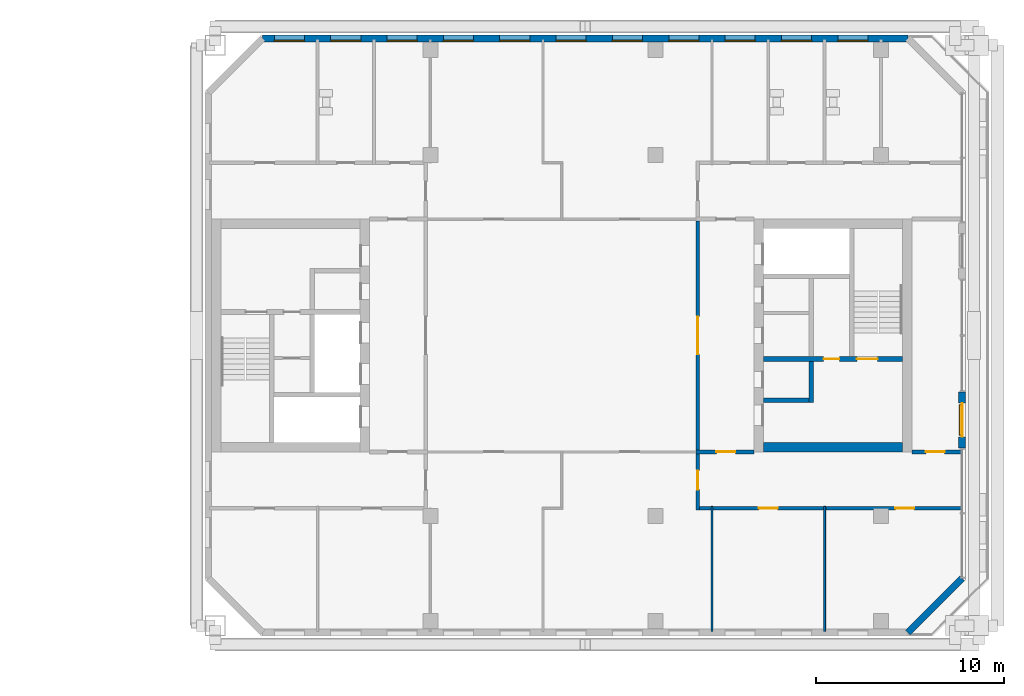
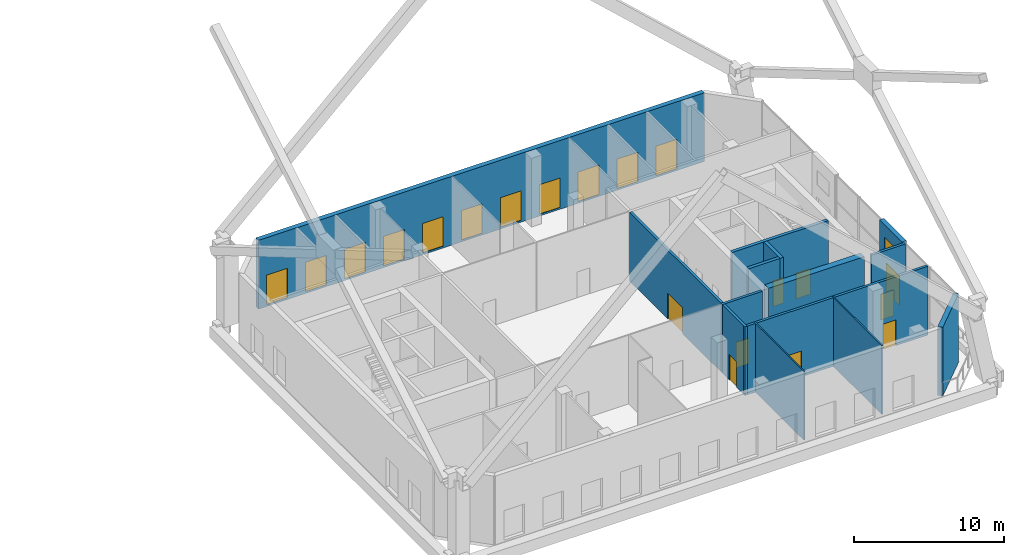
# One storey, part 15 of 20: 14 walls, 12 windows, 9 doors, 21 openings.
"""IFC4 building model written with IfcOpenShell, lengths in metres."""

from ifc_helpers import new_model, si_unit, direction, frame, frame_2d, origin, place, context, subcontext, project, spatial, rectangle, extrude, material, layer, layer_set, type_object, element, fill, save


model = new_model("IFC4")

# Units and contexts
model_context = context("Model", 3, precision=1e-05, world=origin(), true_north=direction((0.0, 1.0)))
body_context = subcontext(model_context, "Body", "Model", "MODEL_VIEW")
ifc_project = project(units=[si_unit("LENGTHUNIT", "METRE"), si_unit("AREAUNIT", "SQUARE_METRE"), si_unit("VOLUMEUNIT", "CUBIC_METRE"), si_unit("PLANEANGLEUNIT", "RADIAN"), si_unit("MASSUNIT", "GRAM", prefix="KILO")], contexts=[model_context])

# Site, building, storey
site_placement = place(None, origin())
site = spatial("IfcSite", under=ifc_project, at=site_placement, CompositionType="ELEMENT")
building_placement = place(site_placement, origin())
building = spatial("IfcBuilding", under=site, at=building_placement, Name="Tuart Gate Housing", CompositionType="ELEMENT")
storey_placement = place(building_placement, frame((0.0, 0.0, 142.300048828125)))
storey = spatial("IfcBuildingStorey", under=building, at=storey_placement, Name="L40", CompositionType="ELEMENT", Elevation=142.300048828125)

# Wall
ifc_material_1 = material(Name="Brick", Category="masonry")
ifc_layer_1 = layer(ifc_material_1, 0.360107421875)
ifc_layer_set_1 = layer_set([ifc_layer_1], Name="Brick pier and spandrel wall 360")
wall_type_1 = type_object("IfcWallType", Name="Brick pier and spandrel wall 360", PredefinedType="STANDARD", material=ifc_layer_set_1)
wall_1_placement = place(storey_placement, frame((168.42529296875, 54.179931640625, 0.0), z_axis=(0.0, 0.0, 1.0), x_axis=(0.707106781187, 0.707106781187, 0.0)))
element("IfcWall", 1, at=wall_1_placement, inside=storey, type_object=wall_type_1, Name="External wall B-SE L40", PredefinedType="STANDARD", context=body_context, shape_type="SweptSolid", body=[
    extrude(rectangle(XDim=4.09375, YDim=0.360107421875, at=frame_2d((2.046875, 0.0))), origin(), (0.0, 0.0, 1.0), 5.599853515625),
])

# Wall, openings, door, window
wall_2_placement = place(storey_placement, frame((171.320068359375, 64.0, 0.0), z_axis=(0.0, 0.0, 1.0), x_axis=(0.0, 1.0, 0.0)))
wall_2 = element("IfcWall", 2, at=wall_2_placement, inside=storey, type_object=wall_type_1, Name="External wall B-E L40", PredefinedType="STANDARD", context=body_context, shape_type="SweptSolid", body=[
    extrude(rectangle(XDim=3.0, YDim=0.360107421875, at=frame_2d((1.5, 0.0))), origin(), (0.0, 0.0, 1.0), 5.599853515625),
])
opening_1_placement = place(wall_2_placement, frame((0.699951171875, 0.0, 3.39990234375)))
opening_1 = element("IfcOpeningElement", 3, at=opening_1_placement, cuts=wall_2, Name="Opening W3", PredefinedType="OPENING", context=body_context, shape_type="SweptSolid", body=[
    extrude(rectangle(XDim=1.60009765625, YDim=1.199951171875, at=frame_2d((0.800048828125, 0.60009765625))), frame((0.0, 0.18994140625, 0.0), z_axis=(0.0, -1.0, 0.0), x_axis=(1.0, 0.0, 0.0)), (0.0, 0.0, 1.0), 0.380126953125),
])
opening_2_placement = place(wall_2_placement, frame((0.60009765625, 0.0, 0.0)))
opening_2 = element("IfcOpeningElement", 4, at=opening_2_placement, cuts=wall_2, Name="Opening D2990", PredefinedType="OPENING", context=body_context, shape_type="SweptSolid", body=[
    extrude(rectangle(XDim=1.800048828125, YDim=2.39990234375, at=frame_2d((0.89990234375, 1.199951171875))), frame((0.0, 0.18994140625, 0.0), z_axis=(0.0, -1.0, 0.0), x_axis=(1.0, 0.0, 0.0)), (0.0, 0.0, 1.0), 0.380126953125),
])
ifc_material_2 = material(Name="Aluminium framed glazed door", Category="aluminium")
door_type_1 = type_object("IfcDoorType", Name="Entrance door 1800 x 2400", OperationType="DOUBLE_DOOR_SINGLE_SWING", PredefinedType="DOOR", material=ifc_material_2)
door_1_placement = place(opening_2_placement, frame((1.800048828125, 0.0, 0.0), z_axis=(0.0, 0.0, 1.0), x_axis=(-1.0, 0.0, 0.0)))
door_1 = element("IfcDoor", 5, at=door_1_placement, inside=storey, type_object=door_type_1, Name="Leg B terrace door L40 1", OperationType="DOUBLE_DOOR_SINGLE_SWING", OverallHeight=2.39990234375, OverallWidth=1.800048828125, PredefinedType="DOOR", context=body_context, shape_type="SweptSolid", body=[
    extrude(rectangle(XDim=1.800048828125, YDim=2.39990234375, at=frame_2d((0.900146484375, 1.199951171875))), frame((0.0, 0.025146484375, 0.0), z_axis=(0.0, -1.0, 0.0), x_axis=(1.0, 0.0, 0.0)), (0.0, 0.0, 1.0), 0.050048828125),
])
fill(opening_2, door_1)
ifc_material_3 = material(Name="Aluminium louvre blades", Category="aluminium")
window_type_1 = type_object("IfcWindowType", Name="Louvre window 1600 x 1200", PartitioningType="DOUBLE_PANEL_HORIZONTAL", PredefinedType="WINDOW", material=ifc_material_3)
window_1_placement = place(opening_1_placement, origin())
window_1 = element("IfcWindow", 6, at=window_1_placement, inside=storey, type_object=window_type_1, Name="Louvre W3", OverallHeight=1.199951171875, OverallWidth=1.60009765625, PartitioningType="DOUBLE_PANEL_HORIZONTAL", PredefinedType="WINDOW", context=body_context, shape_type="SweptSolid", body=[
    extrude(rectangle(XDim=1.60009765625, YDim=1.199951171875, at=frame_2d((0.800048828125, 0.60009765625))), frame((0.0, 0.150146484375, 0.0), z_axis=(0.0, -1.0, 0.0), x_axis=(1.0, 0.0, 0.0)), (0.0, 0.0, 1.0), 0.06005859375),
])
fill(opening_1, window_1)

# Wall, openings, windows
wall_3_placement = place(storey_placement, frame((168.42529296875, 85.820068359375, 0.0), z_axis=(0.0, 0.0, 1.0), x_axis=(-1.0, 0.0, 0.0)))
wall_3 = element("IfcWall", 7, at=wall_3_placement, inside=storey, type_object=wall_type_1, Name="External wall B-N L40", PredefinedType="STANDARD", context=body_context, shape_type="SweptSolid", body=[
    extrude(rectangle(XDim=34.350830078125, YDim=0.360107421875, at=frame_2d((17.17529296875, 0.0))), origin(), (0.0, 0.0, 1.0), 5.599853515625),
])
opening_3_placement = place(wall_3_placement, frame((2.12548828125, 0.0, 0.14990234375)))
opening_3 = element("IfcOpeningElement", 8, at=opening_3_placement, cuts=wall_3, Name="Opening W2", PredefinedType="OPENING", context=body_context, shape_type="SweptSolid", body=[
    extrude(rectangle(XDim=1.60009765625, YDim=2.39990234375, at=frame_2d((0.800048828125, 1.199951171875))), frame((0.0, 0.18994140625, 0.0), z_axis=(0.0, -1.0, 0.0), x_axis=(1.0, 0.0, 0.0)), (0.0, 0.0, 1.0), 0.380126953125),
])
opening_4_placement = place(wall_3_placement, frame((5.12548828125, 0.0, 0.14990234375)))
opening_4 = element("IfcOpeningElement", 9, at=opening_4_placement, cuts=wall_3, Name="Opening W2", PredefinedType="OPENING", context=body_context, shape_type="SweptSolid", body=[
    extrude(rectangle(XDim=1.60009765625, YDim=2.39990234375, at=frame_2d((0.800048828125, 1.199951171875))), frame((0.0, 0.18994140625, 0.0), z_axis=(0.0, -1.0, 0.0), x_axis=(1.0, 0.0, 0.0)), (0.0, 0.0, 1.0), 0.380126953125),
])
opening_5_placement = place(wall_3_placement, frame((8.12548828125, 0.0, 0.14990234375)))
opening_5 = element("IfcOpeningElement", 10, at=opening_5_placement, cuts=wall_3, Name="Opening W2", PredefinedType="OPENING", context=body_context, shape_type="SweptSolid", body=[
    extrude(rectangle(XDim=1.60009765625, YDim=2.39990234375, at=frame_2d((0.800048828125, 1.199951171875))), frame((0.0, 0.18994140625, 0.0), z_axis=(0.0, -1.0, 0.0), x_axis=(1.0, 0.0, 0.0)), (0.0, 0.0, 1.0), 0.380126953125),
])
opening_6_placement = place(wall_3_placement, frame((11.12548828125, 0.0, 0.14990234375)))
opening_6 = element("IfcOpeningElement", 11, at=opening_6_placement, cuts=wall_3, Name="Opening W2", PredefinedType="OPENING", context=body_context, shape_type="SweptSolid", body=[
    extrude(rectangle(XDim=1.60009765625, YDim=2.39990234375, at=frame_2d((0.800048828125, 1.199951171875))), frame((0.0, 0.18994140625, 0.0), z_axis=(0.0, -1.0, 0.0), x_axis=(1.0, 0.0, 0.0)), (0.0, 0.0, 1.0), 0.380126953125),
])
opening_7_placement = place(wall_3_placement, frame((14.12548828125, 0.0, 0.14990234375)))
opening_7 = element("IfcOpeningElement", 12, at=opening_7_placement, cuts=wall_3, Name="Opening W2", PredefinedType="OPENING", context=body_context, shape_type="SweptSolid", body=[
    extrude(rectangle(XDim=1.60009765625, YDim=2.39990234375, at=frame_2d((0.800048828125, 1.199951171875))), frame((0.0, 0.18994140625, 0.0), z_axis=(0.0, -1.0, 0.0), x_axis=(1.0, 0.0, 0.0)), (0.0, 0.0, 1.0), 0.380126953125),
])
opening_8_placement = place(wall_3_placement, frame((17.12548828125, 0.0, 0.14990234375)))
opening_8 = element("IfcOpeningElement", 13, at=opening_8_placement, cuts=wall_3, Name="Opening W2", PredefinedType="OPENING", context=body_context, shape_type="SweptSolid", body=[
    extrude(rectangle(XDim=1.60009765625, YDim=2.39990234375, at=frame_2d((0.800048828125, 1.199951171875))), frame((0.0, 0.18994140625, 0.0), z_axis=(0.0, -1.0, 0.0), x_axis=(1.0, 0.0, 0.0)), (0.0, 0.0, 1.0), 0.380126953125),
])
opening_9_placement = place(wall_3_placement, frame((20.12548828125, 0.0, 0.14990234375)))
opening_9 = element("IfcOpeningElement", 14, at=opening_9_placement, cuts=wall_3, Name="Opening W2", PredefinedType="OPENING", context=body_context, shape_type="SweptSolid", body=[
    extrude(rectangle(XDim=1.60009765625, YDim=2.39990234375, at=frame_2d((0.800048828125, 1.199951171875))), frame((0.0, 0.18994140625, 0.0), z_axis=(0.0, -1.0, 0.0), x_axis=(1.0, 0.0, 0.0)), (0.0, 0.0, 1.0), 0.380126953125),
])
opening_10_placement = place(wall_3_placement, frame((23.12548828125, 0.0, 0.14990234375)))
opening_10 = element("IfcOpeningElement", 15, at=opening_10_placement, cuts=wall_3, Name="Opening W2", PredefinedType="OPENING", context=body_context, shape_type="SweptSolid", body=[
    extrude(rectangle(XDim=1.60009765625, YDim=2.39990234375, at=frame_2d((0.800048828125, 1.199951171875))), frame((0.0, 0.18994140625, 0.0), z_axis=(0.0, -1.0, 0.0), x_axis=(1.0, 0.0, 0.0)), (0.0, 0.0, 1.0), 0.380126953125),
])
opening_11_placement = place(wall_3_placement, frame((26.12548828125, 0.0, 0.14990234375)))
opening_11 = element("IfcOpeningElement", 16, at=opening_11_placement, cuts=wall_3, Name="Opening W2", PredefinedType="OPENING", context=body_context, shape_type="SweptSolid", body=[
    extrude(rectangle(XDim=1.60009765625, YDim=2.39990234375, at=frame_2d((0.800048828125, 1.199951171875))), frame((0.0, 0.18994140625, 0.0), z_axis=(0.0, -1.0, 0.0), x_axis=(1.0, 0.0, 0.0)), (0.0, 0.0, 1.0), 0.380126953125),
])
opening_12_placement = place(wall_3_placement, frame((29.12548828125, 0.0, 0.14990234375)))
opening_12 = element("IfcOpeningElement", 17, at=opening_12_placement, cuts=wall_3, Name="Opening W2", PredefinedType="OPENING", context=body_context, shape_type="SweptSolid", body=[
    extrude(rectangle(XDim=1.60009765625, YDim=2.39990234375, at=frame_2d((0.800048828125, 1.199951171875))), frame((0.0, 0.18994140625, 0.0), z_axis=(0.0, -1.0, 0.0), x_axis=(1.0, 0.0, 0.0)), (0.0, 0.0, 1.0), 0.380126953125),
])
opening_13_placement = place(wall_3_placement, frame((32.12548828125, 0.0, 0.14990234375)))
opening_13 = element("IfcOpeningElement", 18, at=opening_13_placement, cuts=wall_3, Name="Opening W2", PredefinedType="OPENING", context=body_context, shape_type="SweptSolid", body=[
    extrude(rectangle(XDim=1.60009765625, YDim=2.39990234375, at=frame_2d((0.800048828125, 1.199951171875))), frame((0.0, 0.18994140625, 0.0), z_axis=(0.0, -1.0, 0.0), x_axis=(1.0, 0.0, 0.0)), (0.0, 0.0, 1.0), 0.380126953125),
])
ifc_material_4 = material(Name="Aluminium frame with clear glass", Category="aluminium")
window_type_2 = type_object("IfcWindowType", Name="Garden lounge window 1600 x 2400", PartitioningType="SINGLE_PANEL", PredefinedType="WINDOW", material=ifc_material_4)
window_2_placement = place(opening_3_placement, origin())
window_2 = element("IfcWindow", 19, at=window_2_placement, inside=storey, type_object=window_type_2, Name="Window W2", OverallHeight=2.39990234375, OverallWidth=1.60009765625, PartitioningType="SINGLE_PANEL", PredefinedType="WINDOW", context=body_context, shape_type="SweptSolid", body=[
    extrude(rectangle(XDim=1.60009765625, YDim=2.39990234375, at=frame_2d((0.800048828125, 1.199951171875))), frame((0.0, 0.150146484375, 0.0), z_axis=(0.0, -1.0, 0.0), x_axis=(1.0, 0.0, 0.0)), (0.0, 0.0, 1.0), 0.06005859375),
])
fill(opening_3, window_2)
window_3_placement = place(opening_4_placement, origin())
window_3 = element("IfcWindow", 20, at=window_3_placement, inside=storey, type_object=window_type_2, Name="Window W2", OverallHeight=2.39990234375, OverallWidth=1.60009765625, PartitioningType="SINGLE_PANEL", PredefinedType="WINDOW", context=body_context, shape_type="SweptSolid", body=[
    extrude(rectangle(XDim=1.60009765625, YDim=2.39990234375, at=frame_2d((0.800048828125, 1.199951171875))), frame((0.0, 0.150146484375, 0.0), z_axis=(0.0, -1.0, 0.0), x_axis=(1.0, 0.0, 0.0)), (0.0, 0.0, 1.0), 0.06005859375),
])
fill(opening_4, window_3)
window_4_placement = place(opening_5_placement, origin())
window_4 = element("IfcWindow", 21, at=window_4_placement, inside=storey, type_object=window_type_2, Name="Window W2", OverallHeight=2.39990234375, OverallWidth=1.60009765625, PartitioningType="SINGLE_PANEL", PredefinedType="WINDOW", context=body_context, shape_type="SweptSolid", body=[
    extrude(rectangle(XDim=1.60009765625, YDim=2.39990234375, at=frame_2d((0.800048828125, 1.199951171875))), frame((0.0, 0.150146484375, 0.0), z_axis=(0.0, -1.0, 0.0), x_axis=(1.0, 0.0, 0.0)), (0.0, 0.0, 1.0), 0.06005859375),
])
fill(opening_5, window_4)
window_5_placement = place(opening_6_placement, origin())
window_5 = element("IfcWindow", 22, at=window_5_placement, inside=storey, type_object=window_type_2, Name="Window W2", OverallHeight=2.39990234375, OverallWidth=1.60009765625, PartitioningType="SINGLE_PANEL", PredefinedType="WINDOW", context=body_context, shape_type="SweptSolid", body=[
    extrude(rectangle(XDim=1.60009765625, YDim=2.39990234375, at=frame_2d((0.800048828125, 1.199951171875))), frame((0.0, 0.150146484375, 0.0), z_axis=(0.0, -1.0, 0.0), x_axis=(1.0, 0.0, 0.0)), (0.0, 0.0, 1.0), 0.06005859375),
])
fill(opening_6, window_5)
window_6_placement = place(opening_7_placement, origin())
window_6 = element("IfcWindow", 23, at=window_6_placement, inside=storey, type_object=window_type_2, Name="Window W2", OverallHeight=2.39990234375, OverallWidth=1.60009765625, PartitioningType="SINGLE_PANEL", PredefinedType="WINDOW", context=body_context, shape_type="SweptSolid", body=[
    extrude(rectangle(XDim=1.60009765625, YDim=2.39990234375, at=frame_2d((0.800048828125, 1.199951171875))), frame((0.0, 0.150146484375, 0.0), z_axis=(0.0, -1.0, 0.0), x_axis=(1.0, 0.0, 0.0)), (0.0, 0.0, 1.0), 0.06005859375),
])
fill(opening_7, window_6)
window_7_placement = place(opening_8_placement, origin())
window_7 = element("IfcWindow", 24, at=window_7_placement, inside=storey, type_object=window_type_2, Name="Window W2", OverallHeight=2.39990234375, OverallWidth=1.60009765625, PartitioningType="SINGLE_PANEL", PredefinedType="WINDOW", context=body_context, shape_type="SweptSolid", body=[
    extrude(rectangle(XDim=1.60009765625, YDim=2.39990234375, at=frame_2d((0.800048828125, 1.199951171875))), frame((0.0, 0.150146484375, 0.0), z_axis=(0.0, -1.0, 0.0), x_axis=(1.0, 0.0, 0.0)), (0.0, 0.0, 1.0), 0.06005859375),
])
fill(opening_8, window_7)
window_8_placement = place(opening_9_placement, origin())
window_8 = element("IfcWindow", 25, at=window_8_placement, inside=storey, type_object=window_type_2, Name="Window W2", OverallHeight=2.39990234375, OverallWidth=1.60009765625, PartitioningType="SINGLE_PANEL", PredefinedType="WINDOW", context=body_context, shape_type="SweptSolid", body=[
    extrude(rectangle(XDim=1.60009765625, YDim=2.39990234375, at=frame_2d((0.800048828125, 1.199951171875))), frame((0.0, 0.150146484375, 0.0), z_axis=(0.0, -1.0, 0.0), x_axis=(1.0, 0.0, 0.0)), (0.0, 0.0, 1.0), 0.06005859375),
])
fill(opening_9, window_8)
window_9_placement = place(opening_10_placement, origin())
window_9 = element("IfcWindow", 26, at=window_9_placement, inside=storey, type_object=window_type_2, Name="Window W2", OverallHeight=2.39990234375, OverallWidth=1.60009765625, PartitioningType="SINGLE_PANEL", PredefinedType="WINDOW", context=body_context, shape_type="SweptSolid", body=[
    extrude(rectangle(XDim=1.60009765625, YDim=2.39990234375, at=frame_2d((0.800048828125, 1.199951171875))), frame((0.0, 0.150146484375, 0.0), z_axis=(0.0, -1.0, 0.0), x_axis=(1.0, 0.0, 0.0)), (0.0, 0.0, 1.0), 0.06005859375),
])
fill(opening_10, window_9)
window_10_placement = place(opening_11_placement, origin())
window_10 = element("IfcWindow", 27, at=window_10_placement, inside=storey, type_object=window_type_2, Name="Window W2", OverallHeight=2.39990234375, OverallWidth=1.60009765625, PartitioningType="SINGLE_PANEL", PredefinedType="WINDOW", context=body_context, shape_type="SweptSolid", body=[
    extrude(rectangle(XDim=1.60009765625, YDim=2.39990234375, at=frame_2d((0.800048828125, 1.199951171875))), frame((0.0, 0.150146484375, 0.0), z_axis=(0.0, -1.0, 0.0), x_axis=(1.0, 0.0, 0.0)), (0.0, 0.0, 1.0), 0.06005859375),
])
fill(opening_11, window_10)
window_11_placement = place(opening_12_placement, origin())
window_11 = element("IfcWindow", 28, at=window_11_placement, inside=storey, type_object=window_type_2, Name="Window W2", OverallHeight=2.39990234375, OverallWidth=1.60009765625, PartitioningType="SINGLE_PANEL", PredefinedType="WINDOW", context=body_context, shape_type="SweptSolid", body=[
    extrude(rectangle(XDim=1.60009765625, YDim=2.39990234375, at=frame_2d((0.800048828125, 1.199951171875))), frame((0.0, 0.150146484375, 0.0), z_axis=(0.0, -1.0, 0.0), x_axis=(1.0, 0.0, 0.0)), (0.0, 0.0, 1.0), 0.06005859375),
])
fill(opening_12, window_11)
window_12_placement = place(opening_13_placement, origin())
window_12 = element("IfcWindow", 29, at=window_12_placement, inside=storey, type_object=window_type_2, Name="Window W2", OverallHeight=2.39990234375, OverallWidth=1.60009765625, PartitioningType="SINGLE_PANEL", PredefinedType="WINDOW", context=body_context, shape_type="SweptSolid", body=[
    extrude(rectangle(XDim=1.60009765625, YDim=2.39990234375, at=frame_2d((0.800048828125, 1.199951171875))), frame((0.0, 0.150146484375, 0.0), z_axis=(0.0, -1.0, 0.0), x_axis=(1.0, 0.0, 0.0)), (0.0, 0.0, 1.0), 0.06005859375),
])
fill(opening_13, window_12)

# Wall, openings, doors
ifc_material_5 = material(Name="Concrete C40", Category="concrete")
ifc_layer_2 = layer(ifc_material_5, 0.25)
ifc_layer_set_2 = layer_set([ifc_layer_2], Name="Core wall 250 C40")
wall_type_2 = type_object("IfcWallType", Name="Core wall 250 C40", PredefinedType="SHEAR", material=ifc_layer_set_2)
wall_4_placement = place(storey_placement, frame((160.739990234375, 68.75, 0.0), z_axis=(0.0, 0.0, 1.0), x_axis=(1.0, 0.0, 0.0)))
wall_4 = element("IfcWall", 30, at=wall_4_placement, inside=storey, type_object=wall_type_2, Name="Core wall BK.3", PredefinedType="SHEAR", context=body_context, shape_type="SweptSolid", body=[
    extrude(rectangle(XDim=7.39990234375, YDim=0.25, at=frame_2d((3.699951171875, 0.0))), origin(), (0.0, 0.0, 1.0), 5.599853515625),
])
opening_14_placement = place(wall_4_placement, frame((4.97509765625, 0.0, 0.0)))
opening_14 = element("IfcOpeningElement", 31, at=opening_14_placement, cuts=wall_4, Name="Opening D2989", PredefinedType="OPENING", context=body_context, shape_type="SweptSolid", body=[
    extrude(rectangle(XDim=1.10009765625, YDim=2.10009765625, at=frame_2d((0.550048828125, 1.050048828125))), frame((0.0, 0.135009765625, 0.0), z_axis=(0.0, -1.0, 0.0), x_axis=(1.0, 0.0, 0.0)), (0.0, 0.0, 1.0), 0.27001953125),
])
opening_15_placement = place(wall_4_placement, frame((3.199951171875, 0.0, 0.0)))
opening_15 = element("IfcOpeningElement", 32, at=opening_15_placement, cuts=wall_4, Name="Opening D2988", PredefinedType="OPENING", context=body_context, shape_type="SweptSolid", body=[
    extrude(rectangle(XDim=0.85009765625, YDim=2.10009765625, at=frame_2d((0.425048828125, 1.050048828125))), frame((0.0, 0.135009765625, 0.0), z_axis=(0.0, -1.0, 0.0), x_axis=(1.0, 0.0, 0.0)), (0.0, 0.0, 1.0), 0.27001953125),
])
ifc_material_6 = material(Name="Steel fire door", Category="steel")
door_type_2 = type_object("IfcDoorType", Name="Riser door 850 x 2100", OperationType="SINGLE_SWING_LEFT", PredefinedType="DOOR", material=ifc_material_6)
door_2_placement = place(opening_15_placement, origin())
door_2 = element("IfcDoor", 33, at=door_2_placement, inside=storey, type_object=door_type_2, Name="Service room door BK.W1", OperationType="SINGLE_SWING_LEFT", OverallHeight=2.10009765625, OverallWidth=0.85009765625, PredefinedType="DOOR", context=body_context, shape_type="SweptSolid", body=[
    extrude(rectangle(XDim=0.85009765625, YDim=2.10009765625, at=frame_2d((0.425048828125, 1.050048828125))), frame((0.0, 0.02490234375, 0.0), z_axis=(0.0, -1.0, 0.0), x_axis=(1.0, 0.0, 0.0)), (0.0, 0.0, 1.0), 0.050048828125),
])
fill(opening_15, door_2)
ifc_material_7 = material(Name="Steel fire door", Category="steel")
door_type_3 = type_object("IfcDoorType", Name="Stair door 1100 x 2100", OperationType="SINGLE_SWING_LEFT", PredefinedType="DOOR", material=ifc_material_7)
door_3_placement = place(opening_14_placement, origin())
door_3 = element("IfcDoor", 34, at=door_3_placement, inside=storey, type_object=door_type_3, Name="Stair door BK.SD", OperationType="SINGLE_SWING_LEFT", OverallHeight=2.10009765625, OverallWidth=1.10009765625, PredefinedType="DOOR", context=body_context, shape_type="SweptSolid", body=[
    extrude(rectangle(XDim=1.10009765625, YDim=2.10009765625, at=frame_2d((0.550048828125, 1.050048828125))), frame((0.0, 0.02490234375, 0.0), z_axis=(0.0, -1.0, 0.0), x_axis=(1.0, 0.0, 0.0)), (0.0, 0.0, 1.0), 0.050048828125),
])
fill(opening_14, door_3)

# Walls
wall_5_placement = place(storey_placement, frame((160.739990234375, 66.550048828125, 0.0), z_axis=(0.0, 0.0, 1.0), x_axis=(1.0, 0.0, 0.0)))
element("IfcWall", 35, at=wall_5_placement, inside=storey, type_object=wall_type_2, Name="Core wall BK.4", PredefinedType="SHEAR", context=body_context, shape_type="SweptSolid", body=[
    extrude(rectangle(XDim=2.425048828125, YDim=0.25, at=frame_2d((1.21240234375, 0.0))), origin(), (0.0, 0.0, 1.0), 5.599853515625),
])
wall_6_placement = place(storey_placement, frame((163.2900390625, 68.625, 0.0), z_axis=(0.0, 0.0, 1.0), x_axis=(0.0, -1.0, 0.0)))
element("IfcWall", 36, at=wall_6_placement, inside=storey, type_object=wall_type_2, Name="Core wall BK.6", PredefinedType="SHEAR", context=body_context, shape_type="SweptSolid", body=[
    extrude(rectangle(XDim=2.199951171875, YDim=0.25, at=frame_2d((1.10009765625, 0.0))), origin(), (0.0, 0.0, 1.0), 5.599853515625),
])
ifc_material_8 = material(Name="Concrete C40", Category="concrete")
ifc_layer_3 = layer(ifc_material_8, 0.5)
ifc_layer_set_3 = layer_set([ifc_layer_3], Name="Core wall 500 C40")
wall_type_3 = type_object("IfcWallType", Name="Core wall 500 C40", PredefinedType="SHEAR", material=ifc_layer_set_3)
wall_7_placement = place(storey_placement, frame((160.739990234375, 64.050048828125, 0.0), z_axis=(0.0, 0.0, 1.0), x_axis=(1.0, 0.0, 0.0)))
element("IfcWall", 37, at=wall_7_placement, inside=storey, type_object=wall_type_3, Name="Core wall BK north", PredefinedType="SHEAR", context=body_context, shape_type="SweptSolid", body=[
    extrude(rectangle(XDim=7.39990234375, YDim=0.5, at=frame_2d((3.699951171875, 0.0))), origin(), (0.0, 0.0, 1.0), 5.599853515625),
])

# Wall, openings, doors
ifc_material_9 = material(Name="Concrete masonry 15 MPa", Category="masonry")
ifc_layer_4 = layer(ifc_material_9, 0.199951171875)
ifc_layer_set_4 = layer_set([ifc_layer_4], Name="Corridor wall masonry 200")
wall_type_4 = type_object("IfcWallType", Name="Corridor wall masonry 200", PredefinedType="PARTITIONING", material=ifc_layer_set_4)
wall_8_placement = place(storey_placement, frame((157.139892578125, 60.800048828125, 0.0), z_axis=(0.0, 0.0, 1.0), x_axis=(1.0, 0.0, 0.0)))
wall_8 = element("IfcWall", 38, at=wall_8_placement, inside=storey, type_object=wall_type_4, Name="Corridor wall masonry 200", PredefinedType="PARTITIONING", context=body_context, shape_type="SweptSolid", body=[
    extrude(rectangle(XDim=14.1201171875, YDim=0.199951171875, at=frame_2d((7.06005859375, 0.0))), origin(), (0.0, 0.0, 1.0), 5.599853515625),
])
opening_16_placement = place(wall_8_placement, frame((3.360107421875, 0.0, 0.0)))
opening_16 = element("IfcOpeningElement", 39, at=opening_16_placement, cuts=wall_8, Name="Opening D3000", PredefinedType="OPENING", context=body_context, shape_type="SweptSolid", body=[
    extrude(rectangle(XDim=1.0, YDim=2.10009765625, at=frame_2d((0.5, 1.050048828125))), frame((0.0, 0.10986328125, 0.0), z_axis=(0.0, -1.0, 0.0), x_axis=(1.0, 0.0, 0.0)), (0.0, 0.0, 1.0), 0.219970703125),
])
opening_17_placement = place(wall_8_placement, frame((10.6298828125, 0.0, 0.0)))
opening_17 = element("IfcOpeningElement", 40, at=opening_17_placement, cuts=wall_8, Name="Opening D3001", PredefinedType="OPENING", context=body_context, shape_type="SweptSolid", body=[
    extrude(rectangle(XDim=1.0, YDim=2.10009765625, at=frame_2d((0.5, 1.050048828125))), frame((0.0, 0.10986328125, 0.0), z_axis=(0.0, -1.0, 0.0), x_axis=(1.0, 0.0, 0.0)), (0.0, 0.0, 1.0), 0.219970703125),
])
ifc_material_10 = material(Name="Timber door leaf in steel frame", Category="steel")
door_type_4 = type_object("IfcDoorType", Name="Fire door 1000 RH", OperationType="SINGLE_SWING_RIGHT", PredefinedType="DOOR", material=ifc_material_10)
door_4_placement = place(opening_16_placement, frame((1.0, 0.0, 0.0), z_axis=(0.0, 0.0, 1.0), x_axis=(-1.0, 0.0, 0.0)))
door_4 = element("IfcDoor", 41, at=door_4_placement, inside=storey, type_object=door_type_4, Name="Fire door 1000", OperationType="SINGLE_SWING_RIGHT", OverallHeight=2.10009765625, OverallWidth=1.0, PredefinedType="DOOR", context=body_context, shape_type="SweptSolid", body=[
    extrude(rectangle(XDim=1.0, YDim=2.10009765625, at=frame_2d((0.5, 1.050048828125))), frame((0.0, 0.025146484375, 0.0), z_axis=(0.0, -1.0, 0.0), x_axis=(1.0, 0.0, 0.0)), (0.0, 0.0, 1.0), 0.050048828125),
])
fill(opening_16, door_4)
door_5_placement = place(opening_17_placement, frame((1.0, 0.0, 0.0), z_axis=(0.0, 0.0, 1.0), x_axis=(-1.0, 0.0, 0.0)))
door_5 = element("IfcDoor", 42, at=door_5_placement, inside=storey, type_object=door_type_4, Name="Fire door 1000", OperationType="SINGLE_SWING_RIGHT", OverallHeight=2.10009765625, OverallWidth=1.0, PredefinedType="DOOR", context=body_context, shape_type="SweptSolid", body=[
    extrude(rectangle(XDim=1.0, YDim=2.10009765625, at=frame_2d((0.5, 1.050048828125))), frame((0.0, 0.025146484375, 0.0), z_axis=(0.0, -1.0, 0.0), x_axis=(1.0, 0.0, 0.0)), (0.0, 0.0, 1.0), 0.050048828125),
])
fill(opening_17, door_5)

# Wall, opening, door
wall_9_placement = place(storey_placement, frame((168.639892578125, 63.800048828125, 0.0), z_axis=(0.0, 0.0, 1.0), x_axis=(1.0, 0.0, 0.0)))
wall_9 = element("IfcWall", 43, at=wall_9_placement, inside=storey, type_object=wall_type_4, Name="Corridor wall masonry 200", PredefinedType="PARTITIONING", context=body_context, shape_type="SweptSolid", body=[
    extrude(rectangle(XDim=2.6201171875, YDim=0.199951171875, at=frame_2d((1.31005859375, 0.0))), origin(), (0.0, 0.0, 1.0), 5.599853515625),
])
opening_18_placement = place(wall_9_placement, frame((0.75, 0.0, 0.0)))
opening_18 = element("IfcOpeningElement", 44, at=opening_18_placement, cuts=wall_9, Name="Opening D2995", PredefinedType="OPENING", context=body_context, shape_type="SweptSolid", body=[
    extrude(rectangle(XDim=1.0, YDim=2.10009765625, at=frame_2d((0.5, 1.050048828125))), frame((0.0, 0.10986328125, 0.0), z_axis=(0.0, -1.0, 0.0), x_axis=(1.0, 0.0, 0.0)), (0.0, 0.0, 1.0), 0.219970703125),
])
ifc_material_11 = material(Name="Timber door leaf in steel frame", Category="steel")
door_type_5 = type_object("IfcDoorType", Name="Fire door 1000", OperationType="SINGLE_SWING_LEFT", PredefinedType="DOOR", material=ifc_material_11)
door_6_placement = place(opening_18_placement, origin())
door_6 = element("IfcDoor", 45, at=door_6_placement, inside=storey, type_object=door_type_5, Name="Fire door 1000", OperationType="SINGLE_SWING_LEFT", OverallHeight=2.10009765625, OverallWidth=1.0, PredefinedType="DOOR", context=body_context, shape_type="SweptSolid", body=[
    extrude(rectangle(XDim=1.0, YDim=2.10009765625, at=frame_2d((0.5, 1.050048828125))), frame((0.0, 0.02490234375, 0.0), z_axis=(0.0, -1.0, 0.0), x_axis=(1.0, 0.0, 0.0)), (0.0, 0.0, 1.0), 0.050048828125),
])
fill(opening_18, door_6)

wall_10_placement = place(storey_placement, frame((157.239990234375, 60.699951171875, 0.0), z_axis=(0.0, 0.0, 1.0), x_axis=(0.0, 1.0, 0.0)))
wall_10 = element("IfcWall", 46, at=wall_10_placement, inside=storey, type_object=wall_type_4, Name="Corridor wall masonry 200", PredefinedType="PARTITIONING", context=body_context, shape_type="SweptSolid", body=[
    extrude(rectangle(XDim=3.199951171875, YDim=0.199951171875, at=frame_2d((1.60009765625, 0.0))), origin(), (0.0, 0.0, 1.0), 5.599853515625),
])
opening_19_placement = place(wall_10_placement, frame((1.10009765625, 0.0, 0.0)))
opening_19 = element("IfcOpeningElement", 47, at=opening_19_placement, cuts=wall_10, Name="Opening D2997", PredefinedType="OPENING", context=body_context, shape_type="SweptSolid", body=[
    extrude(rectangle(XDim=1.0, YDim=2.10009765625, at=frame_2d((0.5, 1.050048828125))), frame((0.0, 0.10986328125, 0.0), z_axis=(0.0, -1.0, 0.0), x_axis=(1.0, 0.0, 0.0)), (0.0, 0.0, 1.0), 0.219970703125),
])
door_7_placement = place(opening_19_placement, origin())
door_7 = element("IfcDoor", 48, at=door_7_placement, inside=storey, type_object=door_type_4, Name="Fire door 1000", OperationType="SINGLE_SWING_RIGHT", OverallHeight=2.10009765625, OverallWidth=1.0, PredefinedType="DOOR", context=body_context, shape_type="SweptSolid", body=[
    extrude(rectangle(XDim=1.0, YDim=2.10009765625, at=frame_2d((0.5, 1.050048828125))), frame((0.0, 0.02490234375, 0.0), z_axis=(0.0, -1.0, 0.0), x_axis=(1.0, 0.0, 0.0)), (0.0, 0.0, 1.0), 0.050048828125),
])
fill(opening_19, door_7)

ifc_material_12 = material(Name="Concrete masonry 15 MPa", Category="masonry")
ifc_layer_5 = layer(ifc_material_12, 0.199951171875)
ifc_layer_set_5 = layer_set([ifc_layer_5], Name="Enclosure wall masonry 200")
wall_type_5 = type_object("IfcWallType", Name="Enclosure wall masonry 200", PredefinedType="PARTITIONING", material=ifc_layer_set_5)
wall_11_placement = place(storey_placement, frame((157.139892578125, 63.800048828125, 0.0), z_axis=(0.0, 0.0, 1.0), x_axis=(1.0, 0.0, 0.0)))
wall_11 = element("IfcWall", 49, at=wall_11_placement, inside=storey, type_object=wall_type_5, Name="Enclosure wall masonry 200", PredefinedType="PARTITIONING", context=body_context, shape_type="SweptSolid", body=[
    extrude(rectangle(XDim=3.10009765625, YDim=0.199951171875, at=frame_2d((1.550048828125, 0.0))), origin(), (0.0, 0.0, 1.0), 5.599853515625),
])
opening_20_placement = place(wall_11_placement, frame((1.10009765625, 0.0, 0.0)))
opening_20 = element("IfcOpeningElement", 50, at=opening_20_placement, cuts=wall_11, Name="Opening D2994", PredefinedType="OPENING", context=body_context, shape_type="SweptSolid", body=[
    extrude(rectangle(XDim=1.0, YDim=2.10009765625, at=frame_2d((0.5, 1.050048828125))), frame((0.0, 0.10986328125, 0.0), z_axis=(0.0, -1.0, 0.0), x_axis=(1.0, 0.0, 0.0)), (0.0, 0.0, 1.0), 0.219970703125),
])
ifc_material_13 = material(Name="Timber door leaf in steel frame", Category="steel")
door_type_6 = type_object("IfcDoorType", Name="Lobby door 1000 RH", OperationType="SINGLE_SWING_RIGHT", PredefinedType="DOOR", material=ifc_material_13)
door_8_placement = place(opening_20_placement, frame((1.0, 0.0, 0.0), z_axis=(0.0, 0.0, 1.0), x_axis=(-1.0, 0.0, 0.0)))
door_8 = element("IfcDoor", 51, at=door_8_placement, inside=storey, type_object=door_type_6, Name="Lobby door 1000", OperationType="SINGLE_SWING_RIGHT", OverallHeight=2.10009765625, OverallWidth=1.0, PredefinedType="DOOR", context=body_context, shape_type="SweptSolid", body=[
    extrude(rectangle(XDim=1.0, YDim=2.10009765625, at=frame_2d((0.5, 1.050048828125))), frame((0.0, 0.025146484375, 0.0), z_axis=(0.0, -1.0, 0.0), x_axis=(1.0, 0.0, 0.0)), (0.0, 0.0, 1.0), 0.050048828125),
])
fill(opening_20, door_8)

ifc_material_14 = material(Name="Plasterboard partition")
ifc_layer_6 = layer(ifc_material_14, 0.199951171875)
ifc_layer_set_6 = layer_set([ifc_layer_6], Name="Lobby wall 200")
wall_type_6 = type_object("IfcWallType", Name="Lobby wall 200", PredefinedType="PARTITIONING", material=ifc_layer_set_6)
wall_12_placement = place(storey_placement, frame((157.239990234375, 63.89990234375, 0.0), z_axis=(0.0, 0.0, 1.0), x_axis=(0.0, 1.0, 0.0)))
wall_12 = element("IfcWall", 52, at=wall_12_placement, inside=storey, type_object=wall_type_6, Name="Lift lobby wall BK", PredefinedType="PARTITIONING", context=body_context, shape_type="SweptSolid", body=[
    extrude(rectangle(XDim=12.2001953125, YDim=0.199951171875, at=frame_2d((6.10009765625, 0.0))), origin(), (0.0, 0.0, 1.0), 5.599853515625),
])
opening_21_placement = place(wall_12_placement, frame((5.10009765625, 0.0, 0.0)))
opening_21 = element("IfcOpeningElement", 53, at=opening_21_placement, cuts=wall_12, Name="Opening D2982", PredefinedType="OPENING", context=body_context, shape_type="SweptSolid", body=[
    extrude(rectangle(XDim=2.0, YDim=2.10009765625, at=frame_2d((1.0, 1.050048828125))), frame((0.0, 0.10986328125, 0.0), z_axis=(0.0, -1.0, 0.0), x_axis=(1.0, 0.0, 0.0)), (0.0, 0.0, 1.0), 0.219970703125),
])
ifc_material_15 = material(Name="Steel fire door", Category="steel")
door_type_7 = type_object("IfcDoorType", Name="Smoke door 2000 x 2100", OperationType="DOUBLE_DOOR_SINGLE_SWING", PredefinedType="DOOR", material=ifc_material_15)
door_9_placement = place(opening_21_placement, origin())
door_9 = element("IfcDoor", 54, at=door_9_placement, inside=storey, type_object=door_type_7, Name="Lift lobby smoke door BK", OperationType="DOUBLE_DOOR_SINGLE_SWING", OverallHeight=2.10009765625, OverallWidth=2.0, PredefinedType="DOOR", context=body_context, shape_type="SweptSolid", body=[
    extrude(rectangle(XDim=2.0, YDim=2.10009765625, at=frame_2d((1.0, 1.050048828125))), frame((0.0, 0.02490234375, 0.0), z_axis=(0.0, -1.0, 0.0), x_axis=(1.0, 0.0, 0.0)), (0.0, 0.0, 1.0), 0.050048828125),
])
fill(opening_21, door_9)

# Walls
ifc_material_16 = material(Name="Gypsum board on steel studs", Category="steel")
ifc_layer_7 = layer(ifc_material_16, 0.10009765625)
ifc_layer_set_7 = layer_set([ifc_layer_7], Name="Partition 100")
wall_type_7 = type_object("IfcWallType", Name="Partition 100", PredefinedType="PARTITIONING", material=ifc_layer_set_7)
for number, where, z_axis, x_axis, name in (
    (55, (158.0, 54.239990234375, 0.0), (0.0, 0.0, 1.0), (0.0, 1.0, 0.0), "Partition 100"),
    (56, (164.0, 54.239990234375, 0.0), (0.0, 0.0, 1.0), (0.0, 1.0, 0.0), "Partition 100"),
):
    element("IfcWall", number, at=place(storey_placement, frame(where, z_axis=z_axis, x_axis=x_axis)), inside=storey, type_object=wall_type_7, Name=name, PredefinedType="PARTITIONING", context=body_context, shape_type="SweptSolid", body=[
        extrude(rectangle(XDim=6.659912109375, YDim=0.10009765625, at=frame_2d((3.330078125, 0.0))), origin(), (0.0, 0.0, 1.0), 5.599853515625),
    ])

save(model, "model.ifc")
